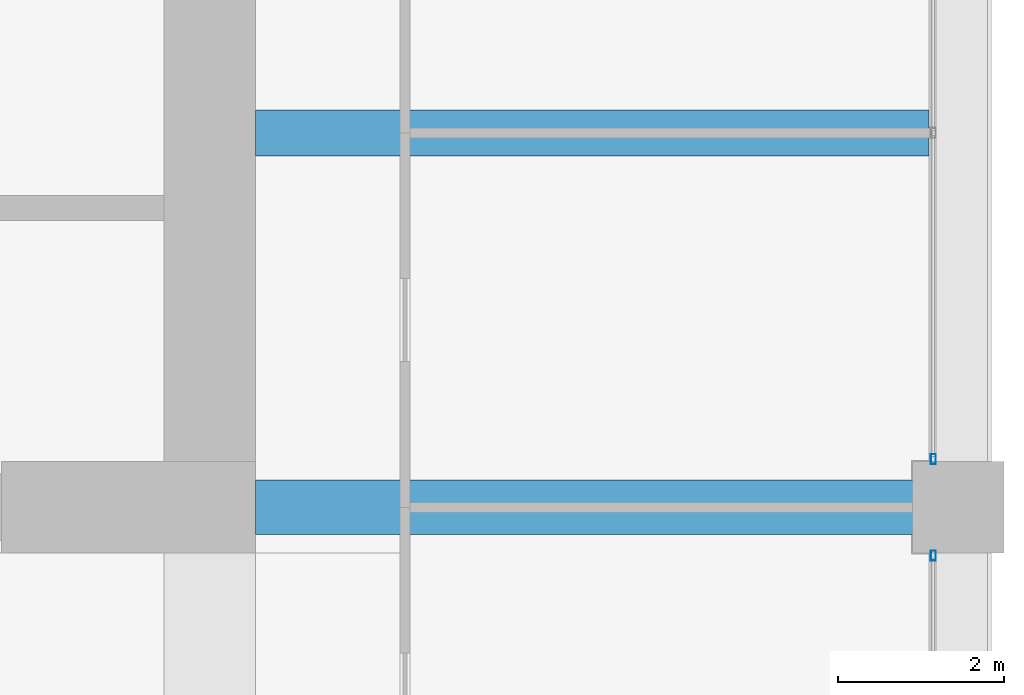
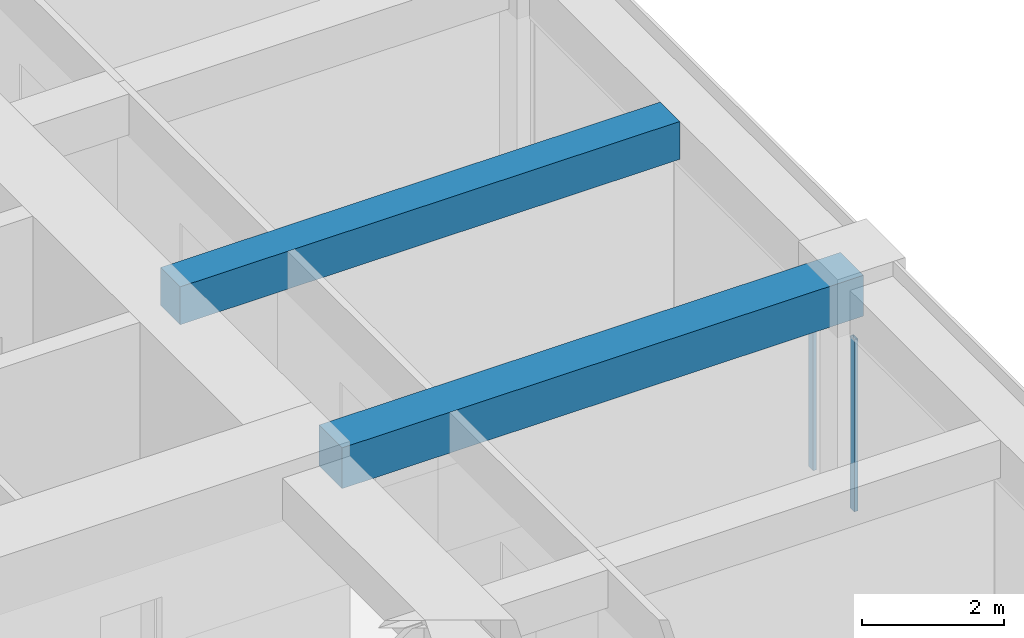
# One storey, part 24 of 44: 2 beams, 2 members, 2 elements without a shape of their own.
"""IFC4 building model written with IfcOpenShell, lengths in metres."""

from ifc_helpers import new_model, si_unit, direction, frame, origin, origin_2d, place, context, subcontext, project, spatial, rectangle, hollow_rectangle, extrude, material, material_profile, profile_set, type_object, element, aggregate, save


model = new_model("IFC4")

# Units and contexts
model_context = context("Model", 3, precision=1e-05, world=origin(), true_north=direction((0.0, 1.0)))
body_context = subcontext(model_context, "Body", "Model", "MODEL_VIEW")
ifc_project = project(units=[si_unit("LENGTHUNIT", "METRE"), si_unit("AREAUNIT", "SQUARE_METRE"), si_unit("VOLUMEUNIT", "CUBIC_METRE"), si_unit("PLANEANGLEUNIT", "RADIAN"), si_unit("MASSUNIT", "GRAM", prefix="KILO")], contexts=[model_context])

# Site, building, storey
site_placement = place(None, origin())
site = spatial("IfcSite", under=ifc_project, at=site_placement, CompositionType="ELEMENT")
building_placement = place(site_placement, origin())
building = spatial("IfcBuilding", under=site, at=building_placement, Name="Zorevar Civic Tower", CompositionType="ELEMENT")
storey_placement = place(building_placement, frame((0.0, 0.0, 271.39990234375)))
storey = spatial("IfcBuildingStorey", under=building, at=storey_placement, Name="L66", CompositionType="ELEMENT", Elevation=271.39990234375)

# Beams
ifc_material_1 = material(Name="Concrete C50/60", Category="concrete")
ifc_material_profile_1 = material_profile(ifc_material_1, rectangle(XDim=0.550048828125, YDim=0.64990234375, at=origin_2d()), Name="RC 550x650")
ifc_profile_set_1 = profile_set([ifc_material_profile_1], Name="Concrete C50/60")
beam_type_1 = type_object("IfcBeamType", Name="Beam RC 550x650", PredefinedType="BEAM", material=ifc_profile_set_1)
beam_1_placement = place(storey_placement, frame((45.550048828125, 22.5, 3.425048828125), z_axis=(1.0, 0.0, 0.0), x_axis=(0.0, 1.0, 0.0)))
element("IfcBeam", 1, at=beam_1_placement, inside=storey, type_object=beam_type_1, Name="Secondary beam L67", PredefinedType="BEAM", context=body_context, shape_type="SweptSolid", body=[
    extrude(rectangle(XDim=0.550048828125, YDim=0.64990234375, at=origin_2d()), origin(), (0.0, 0.0, 1.0), 8.099853515625),
])
ifc_material_2 = material(Name="Concrete C50/60", Category="concrete")
ifc_material_profile_2 = material_profile(ifc_material_2, rectangle(XDim=0.64990234375, YDim=0.699951171875, at=origin_2d()), Name="RC 650x700")
ifc_profile_set_2 = profile_set([ifc_material_profile_2], Name="Concrete C50/60")
beam_type_2 = type_object("IfcBeamType", Name="Beam RC 650x700", PredefinedType="BEAM", material=ifc_profile_set_2)
beam_2_placement = place(storey_placement, frame((45.550048828125, 18.0, 3.400146484375), z_axis=(1.0, 0.0, 0.0), x_axis=(0.0, 1.0, 0.0)))
element("IfcBeam", 2, at=beam_2_placement, inside=storey, type_object=beam_type_2, Name="Girder L67", PredefinedType="BEAM", context=body_context, shape_type="SweptSolid", body=[
    extrude(rectangle(XDim=0.64990234375, YDim=0.699951171875, at=origin_2d()), origin(), (0.0, 0.0, 1.0), 8.449951171875),
])

# Curtain wall, member
ifc_material_3 = material(Name="Dark grey solar-control glass in black aluminium frame", Category="aluminium")
curtain_wall_type = type_object("IfcCurtainWallType", Name="Curtain wall CW5 top zone", PredefinedType="NOTDEFINED", material=ifc_material_3)
curtain_wall_1_placement = place(storey_placement, origin())
curtain_wall_1 = element("IfcCurtainWall", 3, at=curtain_wall_1_placement, inside=storey, type_object=curtain_wall_type, Name="CW5 L66", PredefinedType="NOTDEFINED")
ifc_material_4 = material(Name="Aluminium, black anodised", Category="aluminium")
ifc_material_profile_3 = material_profile(ifc_material_4, hollow_rectangle(XDim=0.06005859375, YDim=0.1201171875, WallThickness=0.0029296875, at=origin_2d()), Name="AL 120x60x3")
ifc_profile_set_3 = profile_set([ifc_material_profile_3], Name="Aluminium, black anodised")
member_type = type_object("IfcMemberType", Name="CW5 mullion AL 120x60x3", PredefinedType="MULLION", material=ifc_profile_set_3)
member_1_placement = place(storey_placement, frame((53.699951171875, 17.419921875, 0.0), z_axis=(0.0, 0.0, 1.0), x_axis=(-1.0, 0.0, 0.0)))
member_1 = element("IfcMember", 4, at=member_1_placement, type_object=member_type, Name="CW5 mullion 3", PredefinedType="MULLION", context=body_context, shape_type="SweptSolid", body=[
    extrude(hollow_rectangle(XDim=0.06005859375, YDim=0.1201171875, WallThickness=0.0029296875, at=origin_2d()), origin(), (0.0, 0.0, 1.0), 2.9501953125),
])
aggregate(curtain_wall_1, [member_1])

curtain_wall_2_placement = place(storey_placement, origin())
curtain_wall_2 = element("IfcCurtainWall", 5, at=curtain_wall_2_placement, inside=storey, type_object=curtain_wall_type, Name="CW5 L66", PredefinedType="NOTDEFINED")
member_2_placement = place(storey_placement, frame((53.699951171875, 18.580078125, 0.0), z_axis=(0.0, 0.0, 1.0), x_axis=(-1.0, 0.0, 0.0)))
member_2 = element("IfcMember", 6, at=member_2_placement, type_object=member_type, Name="CW5 mullion 1", PredefinedType="MULLION", context=body_context, shape_type="SweptSolid", body=[
    extrude(hollow_rectangle(XDim=0.06005859375, YDim=0.1201171875, WallThickness=0.0029296875, at=origin_2d()), origin(), (0.0, 0.0, 1.0), 2.9501953125),
])
aggregate(curtain_wall_2, [member_2])

save(model, "model.ifc")
